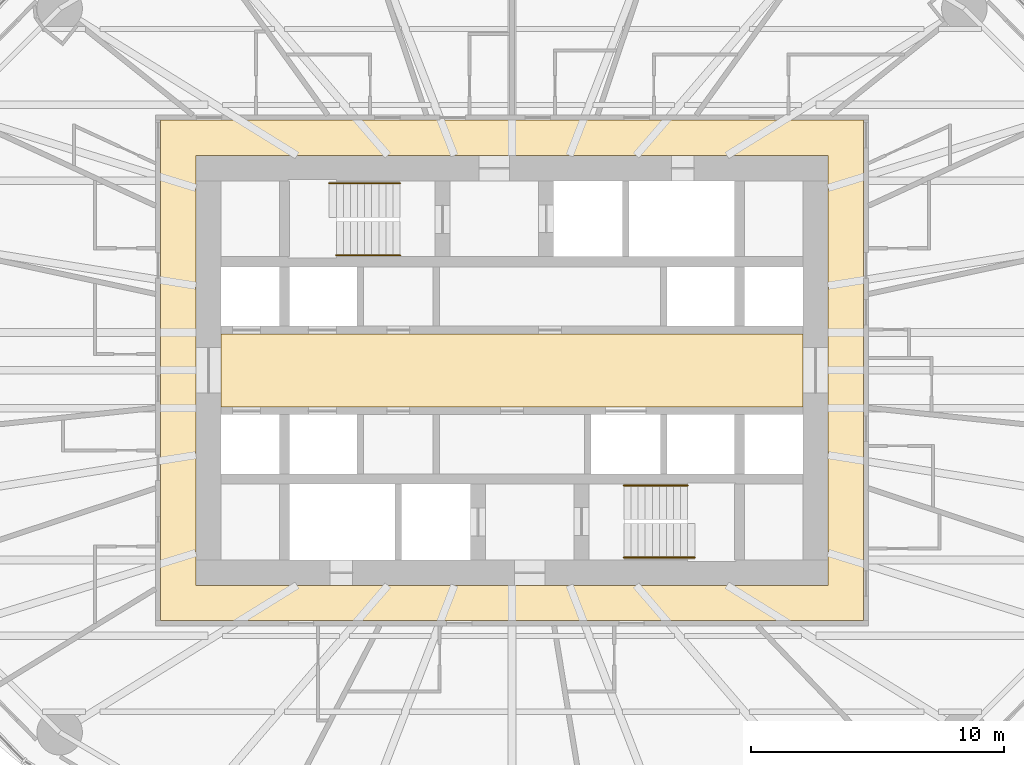
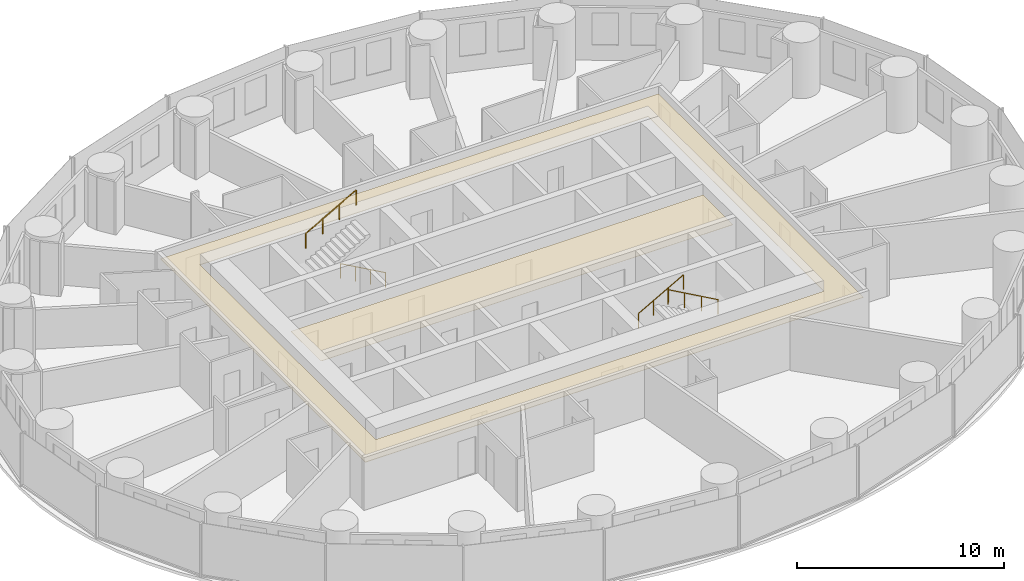
# One storey, part 13 of 13: 4 railings, 2 coverings.
"""IFC4 building model written with IfcOpenShell, lengths in metres."""

from ifc_helpers import new_model, si_unit, direction, frame, origin, origin_2d, place, context, subcontext, project, spatial, polyline, circle, outline, extrude, material, layer, layer_set, type_object, element, save


model = new_model("IFC4")

# Units and contexts
model_context = context("Model", 3, precision=1e-05, world=origin(), true_north=direction((0.0, 1.0)))
body_context = subcontext(model_context, "Body", "Model", "MODEL_VIEW")
ifc_project = project(units=[si_unit("LENGTHUNIT", "METRE"), si_unit("AREAUNIT", "SQUARE_METRE"), si_unit("VOLUMEUNIT", "CUBIC_METRE"), si_unit("PLANEANGLEUNIT", "RADIAN"), si_unit("MASSUNIT", "GRAM", prefix="KILO")], contexts=[model_context])

# Site, building, storey
site_placement = place(None, origin())
site = spatial("IfcSite", under=ifc_project, at=site_placement, CompositionType="ELEMENT")
building_placement = place(site_placement, origin())
building = spatial("IfcBuilding", under=site, at=building_placement, Name="Hankou Lantern Tower", CompositionType="ELEMENT")
storey_placement = place(building_placement, frame((0.0, 0.0, 39.300048828125)))
storey = spatial("IfcBuildingStorey", under=building, at=storey_placement, Name="L08", CompositionType="ELEMENT", Elevation=39.300048828125)

# Coverings
ifc_material_1 = material(Name="Black painted aluminium linear ceiling panels", Category="aluminium")
ifc_layer_1 = layer(ifc_material_1, 0.02490234375)
ifc_layer_set_1 = layer_set([ifc_layer_1], Name="Black painted aluminium linear ceiling panels")
covering_type_1 = type_object("IfcCoveringType", Name="CL1 CORRIDOR CEILING 25", PredefinedType="CEILING", material=ifc_layer_set_1)
covering_1_placement = place(storey_placement, frame((0.0, 0.0, 2.64501953125)))
element("IfcCovering", 1, at=covering_1_placement, inside=storey, type_object=covering_type_1, Name="Corridor ceiling L08", PredefinedType="CEILING", context=body_context, shape_type="SweptSolid", body=[
    extrude(outline(polyline([(-13.89990234375, -9.89990234375), (13.89990234375, -9.89990234375), (13.89990234375, 9.89990234375), (-13.89990234375, 9.89990234375), (-13.89990234375, -9.89990234375)]), holes=[polyline([(-12.5, 8.5), (12.5, 8.5), (12.5, -8.5), (-12.5, -8.5), (-12.5, 8.5)])]), origin(), (0.0, 0.0, 1.0), 0.02490234375),
])
ifc_material_2 = material(Name="Perforated black aluminium acoustic tray ceiling", Category="aluminium")
ifc_layer_2 = layer(ifc_material_2, 0.014892578125)
ifc_layer_set_2 = layer_set([ifc_layer_2], Name="Perforated black aluminium acoustic tray ceiling")
covering_type_2 = type_object("IfcCoveringType", Name="CL2 LIFT LOBBY CEILING 15", PredefinedType="CEILING", material=ifc_layer_set_2)
covering_2_placement = place(storey_placement, frame((0.0, 0.0, 2.655029296875)))
element("IfcCovering", 2, at=covering_2_placement, inside=storey, type_object=covering_type_2, Name="Lift lobby ceiling L08", PredefinedType="CEILING", context=body_context, shape_type="SweptSolid", body=[
    extrude(outline(polyline([(-11.5, -1.449951171875), (11.5, -1.449951171875), (11.5, 1.449951171875), (-11.5, 1.449951171875), (-11.5, -1.449951171875)])), origin(), (0.0, 0.0, 1.0), 0.014892578125),
])

# Railings
ifc_material_3 = material(Name="Steel handrail", Category="steel")
railing_type = type_object("IfcRailingType", Name="HR1 STAIR HANDRAIL", PredefinedType="HANDRAIL", material=ifc_material_3)
railing_1_placement = place(storey_placement, frame((-4.429931640625, 4.550048828125, 0.89990234375)))
element("IfcRailing", 3, at=railing_1_placement, inside=storey, type_object=railing_type, Name="Handrail stair STA L08 flight 1", PredefinedType="HANDRAIL", context=body_context, shape_type="SweptSolid", body=[
    extrude(circle(Radius=0.02392578125, at=origin_2d()), frame((0.0, 0.0, 0.8759765625), z_axis=(-0.872048945198, 0.0, 0.489418672692), x_axis=(0.0, -1.0, 0.0)), (0.0, 0.0, 1.0), 2.8896484375),
    extrude(circle(Radius=0.02099609375, at=origin_2d()), origin(), (0.0, 0.0, 1.0), 0.851806640625),
    extrude(circle(Radius=0.02099609375, at=origin_2d()), frame((-0.840087890625, 0.0, 0.471435546875)), (0.0, 0.0, 1.0), 0.851806640625),
    extrude(circle(Radius=0.02099609375, at=origin_2d()), frame((-1.679931640625, 0.0, 0.94287109375)), (0.0, 0.0, 1.0), 0.851806640625),
    extrude(circle(Radius=0.02099609375, at=origin_2d()), frame((-2.52001953125, 0.0, 1.414306640625)), (0.0, 0.0, 1.0), 0.851806640625),
])
railing_2_placement = place(storey_placement, frame((-7.22998046875, 7.39990234375, 2.471435546875)))
element("IfcRailing", 4, at=railing_2_placement, inside=storey, type_object=railing_type, Name="Handrail stair STA L08 flight 2", PredefinedType="HANDRAIL", context=body_context, shape_type="SweptSolid", body=[
    extrude(circle(Radius=0.02392578125, at=origin_2d()), frame((0.0, 0.0, 0.8759765625), z_axis=(0.872072602893, 0.0, 0.489376516891), x_axis=(0.0, 1.0, 0.0)), (0.0, 0.0, 1.0), 3.210693359375),
    extrude(circle(Radius=0.02099609375, at=origin_2d()), origin(), (0.0, 0.0, 1.0), 0.851806640625),
    extrude(circle(Radius=0.02099609375, at=origin_2d()), frame((0.933349609375, 0.0, 0.523681640625)), (0.0, 0.0, 1.0), 0.851806640625),
    extrude(circle(Radius=0.02099609375, at=origin_2d()), frame((1.86669921875, 0.0, 1.047607421875)), (0.0, 0.0, 1.0), 0.851806640625),
    extrude(circle(Radius=0.02099609375, at=origin_2d()), frame((2.800048828125, 0.0, 1.5712890625)), (0.0, 0.0, 1.0), 0.851806640625),
])
railing_3_placement = place(storey_placement, frame((4.429931640625, -4.550048828125, 0.89990234375)))
element("IfcRailing", 5, at=railing_3_placement, inside=storey, type_object=railing_type, Name="Handrail stair STB L08 flight 1", PredefinedType="HANDRAIL", context=body_context, shape_type="SweptSolid", body=[
    extrude(circle(Radius=0.02392578125, at=origin_2d()), frame((0.0, 0.0, 0.8759765625), z_axis=(0.872048945198, 0.0, 0.489418672692), x_axis=(0.0, 1.0, 0.0)), (0.0, 0.0, 1.0), 2.8896484375),
    extrude(circle(Radius=0.02099609375, at=origin_2d()), origin(), (0.0, 0.0, 1.0), 0.851806640625),
    extrude(circle(Radius=0.02099609375, at=origin_2d()), frame((0.840087890625, 0.0, 0.471435546875)), (0.0, 0.0, 1.0), 0.851806640625),
    extrude(circle(Radius=0.02099609375, at=origin_2d()), frame((1.679931640625, 0.0, 0.94287109375)), (0.0, 0.0, 1.0), 0.851806640625),
    extrude(circle(Radius=0.02099609375, at=origin_2d()), frame((2.52001953125, 0.0, 1.414306640625)), (0.0, 0.0, 1.0), 0.851806640625),
])
railing_4_placement = place(storey_placement, frame((7.22998046875, -7.39990234375, 2.471435546875)))
element("IfcRailing", 6, at=railing_4_placement, inside=storey, type_object=railing_type, Name="Handrail stair STB L08 flight 2", PredefinedType="HANDRAIL", context=body_context, shape_type="SweptSolid", body=[
    extrude(circle(Radius=0.02392578125, at=origin_2d()), frame((0.0, 0.0, 0.8759765625), z_axis=(-0.872072602893, 0.0, 0.489376516891), x_axis=(0.0, -1.0, 0.0)), (0.0, 0.0, 1.0), 3.210693359375),
    extrude(circle(Radius=0.02099609375, at=origin_2d()), origin(), (0.0, 0.0, 1.0), 0.851806640625),
    extrude(circle(Radius=0.02099609375, at=origin_2d()), frame((-0.933349609375, 0.0, 0.523681640625)), (0.0, 0.0, 1.0), 0.851806640625),
    extrude(circle(Radius=0.02099609375, at=origin_2d()), frame((-1.86669921875, 0.0, 1.047607421875)), (0.0, 0.0, 1.0), 0.851806640625),
    extrude(circle(Radius=0.02099609375, at=origin_2d()), frame((-2.800048828125, 0.0, 1.5712890625)), (0.0, 0.0, 1.0), 0.851806640625),
])

save(model, "model.ifc")
